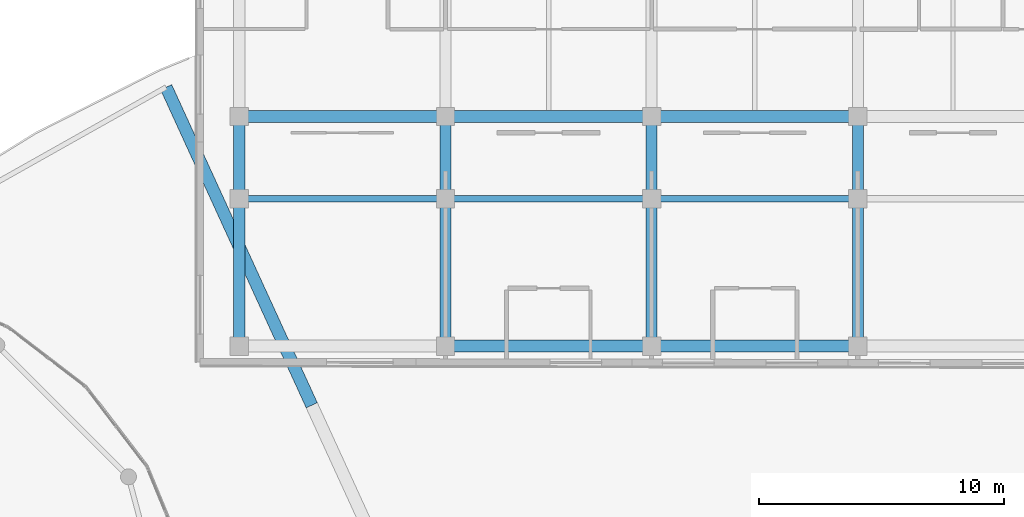
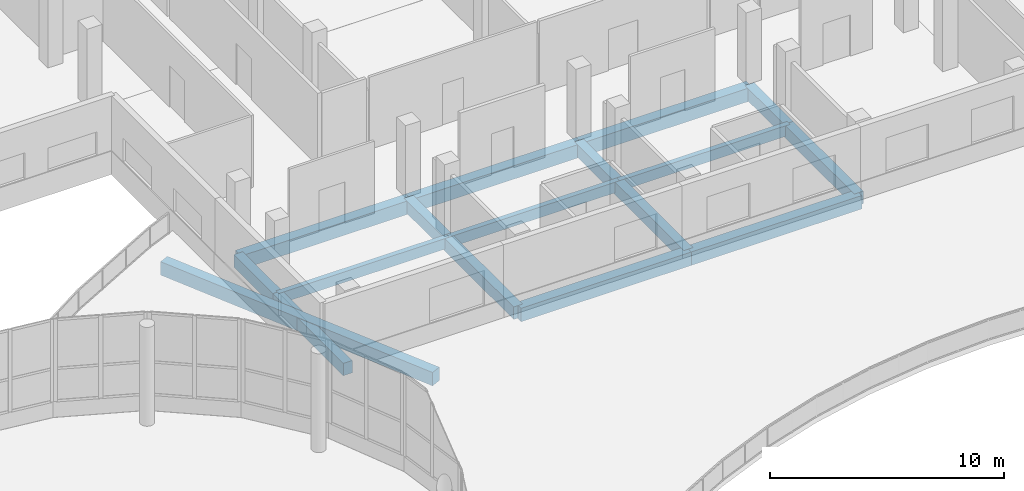
# One storey, part 20 of 101: 17 beams.
"""IFC4 building model written with IfcOpenShell, lengths in metres."""

from ifc_helpers import new_model, si_unit, direction, frame, origin, origin_2d, place, context, subcontext, project, spatial, rectangle, extrude, material, material_profile, profile_set, type_object, element, save


model = new_model("IFC4")

# Units and contexts
model_context = context("Model", 3, precision=1e-05, world=origin(), true_north=direction((0.0, 1.0)))
body_context = subcontext(model_context, "Body", "Model", "MODEL_VIEW")
ifc_project = project(units=[si_unit("LENGTHUNIT", "METRE"), si_unit("AREAUNIT", "SQUARE_METRE"), si_unit("VOLUMEUNIT", "CUBIC_METRE"), si_unit("PLANEANGLEUNIT", "RADIAN"), si_unit("MASSUNIT", "GRAM", prefix="KILO")], contexts=[model_context])

# Site, building, storey
site_placement = place(None, origin())
site = spatial("IfcSite", under=ifc_project, at=site_placement, CompositionType="ELEMENT")
building_placement = place(site_placement, origin())
building = spatial("IfcBuilding", under=site, at=building_placement, Name="Selatvlak General Hospital", CompositionType="ELEMENT")
storey_placement = place(building_placement, frame((0.0, 0.0, 19.199951171875)))
storey = spatial("IfcBuildingStorey", under=building, at=storey_placement, Name="L04", CompositionType="ELEMENT", Elevation=19.199951171875)

# Beams
ifc_material = material(Name="Concrete C40/50", Category="concrete")
ifc_material_profile_1 = material_profile(ifc_material, rectangle(XDim=0.5, YDim=0.699951171875, at=origin_2d()), Name="RC-BM 500x700")
ifc_profile_set_1 = profile_set([ifc_material_profile_1], Name="Concrete C40/50")
beam_type_1 = type_object("IfcBeamType", Name="BM-G03", PredefinedType="BEAM", material=ifc_profile_set_1)
for number, where, z_axis, x_axis, name in (
    (1, (123.60009765625, 66.64990234375, -0.655029296875), (1.0, 0.0, 0.0), (0.0, 1.0, 0.0), "Beam BMR-L04-1510"),
    (2, (132.0, 66.64990234375, -0.655029296875), (1.0, 0.0, 0.0), (0.0, 1.0, 0.0), "Beam BMR-L04-1511"),
):
    element("IfcBeam", number, at=place(storey_placement, frame(where, z_axis=z_axis, x_axis=x_axis)), inside=storey, type_object=beam_type_1, Name=name, PredefinedType="BEAM", context=body_context, shape_type="SweptSolid", body=[
        extrude(rectangle(XDim=0.5, YDim=0.699951171875, at=origin_2d()), origin(), (0.0, 0.0, 1.0), 8.39990234375),
    ])
beam_1_placement = place(storey_placement, frame((115.199951171875, 76.0, -0.655029296875), z_axis=(1.0, 0.0, 0.0), x_axis=(0.0, 1.0, 0.0)))
element("IfcBeam", 3, at=beam_1_placement, inside=storey, type_object=beam_type_1, Name="Beam BMR-L04-1524", PredefinedType="BEAM", context=body_context, shape_type="SweptSolid", body=[
    extrude(rectangle(XDim=0.5, YDim=0.699951171875, at=origin_2d()), origin(), (0.0, 0.0, 1.0), 8.400146484375),
])
for number, where, z_axis, x_axis, name in (
    (4, (123.60009765625, 76.0, -0.655029296875), (1.0, 0.0, 0.0), (0.0, 1.0, 0.0), "Beam BMR-L04-1525"),
    (5, (132.0, 76.0, -0.655029296875), (1.0, 0.0, 0.0), (0.0, 1.0, 0.0), "Beam BMR-L04-1526"),
):
    element("IfcBeam", number, at=place(storey_placement, frame(where, z_axis=z_axis, x_axis=x_axis)), inside=storey, type_object=beam_type_1, Name=name, PredefinedType="BEAM", context=body_context, shape_type="SweptSolid", body=[
        extrude(rectangle(XDim=0.5, YDim=0.699951171875, at=origin_2d()), origin(), (0.0, 0.0, 1.0), 8.39990234375),
    ])
beam_2_placement = place(storey_placement, frame((112.221923828125, 77.195068359375, -0.639892578125), z_axis=(0.416220472097, -0.909263723354, 0.0), x_axis=(0.909263723354, 0.416220472097, 0.0)))
element("IfcBeam", 6, at=beam_2_placement, inside=storey, type_object=beam_type_1, Name="Beam BMR-L04-1820", PredefinedType="BEAM", context=body_context, shape_type="SweptSolid", body=[
    extrude(rectangle(XDim=0.5, YDim=0.699951171875, at=origin_2d()), origin(), (0.0, 0.0, 1.0), 14.25),
])
ifc_material_profile_2 = material_profile(ifc_material, rectangle(XDim=0.449951171875, YDim=0.64990234375, at=origin_2d()), Name="RC-BM 450x650")
ifc_profile_set_2 = profile_set([ifc_material_profile_2], Name="Concrete C40/50")
beam_type_2 = type_object("IfcBeamType", Name="BM-G04", PredefinedType="BEAM", material=ifc_profile_set_2)
beam_3_placement = place(storey_placement, frame((115.199951171875, 66.64990234375, -0.6298828125), z_axis=(0.0, 1.0, 0.0), x_axis=(-1.0, 0.0, 0.0)))
element("IfcBeam", 7, at=beam_3_placement, inside=storey, type_object=beam_type_2, Name="Beam BMR-L04-1699", PredefinedType="BEAM", context=body_context, shape_type="SweptSolid", body=[
    extrude(rectangle(XDim=0.449951171875, YDim=0.64990234375, at=origin_2d()), origin(), (0.0, 0.0, 1.0), 6.0),
])
beam_4_placement = place(storey_placement, frame((115.199951171875, 72.64990234375, -0.6298828125), z_axis=(0.0, 1.0, 0.0), x_axis=(-1.0, 0.0, 0.0)))
element("IfcBeam", 8, at=beam_4_placement, inside=storey, type_object=beam_type_2, Name="Beam BMR-L04-1700", PredefinedType="BEAM", context=body_context, shape_type="SweptSolid", body=[
    extrude(rectangle(XDim=0.449951171875, YDim=0.64990234375, at=origin_2d()), origin(), (0.0, 0.0, 1.0), 3.35009765625),
])
beam_5_placement = place(storey_placement, frame((123.60009765625, 66.64990234375, -0.6298828125), z_axis=(0.0, 1.0, 0.0), x_axis=(-1.0, 0.0, 0.0)))
element("IfcBeam", 9, at=beam_5_placement, inside=storey, type_object=beam_type_2, Name="Beam BMR-L04-1706", PredefinedType="BEAM", context=body_context, shape_type="SweptSolid", body=[
    extrude(rectangle(XDim=0.449951171875, YDim=0.64990234375, at=origin_2d()), origin(), (0.0, 0.0, 1.0), 6.0),
])
beam_6_placement = place(storey_placement, frame((123.60009765625, 72.64990234375, -0.6298828125), z_axis=(0.0, 1.0, 0.0), x_axis=(-1.0, 0.0, 0.0)))
element("IfcBeam", 10, at=beam_6_placement, inside=storey, type_object=beam_type_2, Name="Beam BMR-L04-1707", PredefinedType="BEAM", context=body_context, shape_type="SweptSolid", body=[
    extrude(rectangle(XDim=0.449951171875, YDim=0.64990234375, at=origin_2d()), origin(), (0.0, 0.0, 1.0), 3.35009765625),
])
beam_7_placement = place(storey_placement, frame((132.0, 66.64990234375, -0.6298828125), z_axis=(0.0, 1.0, 0.0), x_axis=(-1.0, 0.0, 0.0)))
element("IfcBeam", 11, at=beam_7_placement, inside=storey, type_object=beam_type_2, Name="Beam BMR-L04-1715", PredefinedType="BEAM", context=body_context, shape_type="SweptSolid", body=[
    extrude(rectangle(XDim=0.449951171875, YDim=0.64990234375, at=origin_2d()), origin(), (0.0, 0.0, 1.0), 6.0),
])
beam_8_placement = place(storey_placement, frame((132.0, 72.64990234375, -0.6298828125), z_axis=(0.0, 1.0, 0.0), x_axis=(-1.0, 0.0, 0.0)))
element("IfcBeam", 12, at=beam_8_placement, inside=storey, type_object=beam_type_2, Name="Beam BMR-L04-1716", PredefinedType="BEAM", context=body_context, shape_type="SweptSolid", body=[
    extrude(rectangle(XDim=0.449951171875, YDim=0.64990234375, at=origin_2d()), origin(), (0.0, 0.0, 1.0), 3.35009765625),
])
beam_9_placement = place(storey_placement, frame((140.39990234375, 66.64990234375, -0.6298828125), z_axis=(0.0, 1.0, 0.0), x_axis=(-1.0, 0.0, 0.0)))
element("IfcBeam", 13, at=beam_9_placement, inside=storey, type_object=beam_type_2, Name="Beam BMR-L04-1723", PredefinedType="BEAM", context=body_context, shape_type="SweptSolid", body=[
    extrude(rectangle(XDim=0.449951171875, YDim=0.64990234375, at=origin_2d()), origin(), (0.0, 0.0, 1.0), 6.0),
])
beam_10_placement = place(storey_placement, frame((140.39990234375, 72.64990234375, -0.6298828125), z_axis=(0.0, 1.0, 0.0), x_axis=(-1.0, 0.0, 0.0)))
element("IfcBeam", 14, at=beam_10_placement, inside=storey, type_object=beam_type_2, Name="Beam BMR-L04-1724", PredefinedType="BEAM", context=body_context, shape_type="SweptSolid", body=[
    extrude(rectangle(XDim=0.449951171875, YDim=0.64990234375, at=origin_2d()), origin(), (0.0, 0.0, 1.0), 3.35009765625),
])
ifc_material_profile_3 = material_profile(ifc_material, rectangle(XDim=0.25, YDim=0.550048828125, at=origin_2d()), Name="RC-SP 250x550")
ifc_profile_set_3 = profile_set([ifc_material_profile_3], Name="Concrete C40/50")
beam_type_3 = type_object("IfcBeamType", Name="BM-SP2", PredefinedType="SPANDREL", material=ifc_profile_set_3)
beam_11_placement = place(storey_placement, frame((115.199951171875, 72.64990234375, -0.579833984375), z_axis=(1.0, 0.0, 0.0), x_axis=(0.0, 1.0, 0.0)))
element("IfcBeam", 15, at=beam_11_placement, inside=storey, type_object=beam_type_3, Name="Beam BMR-L04-1516", PredefinedType="SPANDREL", context=body_context, shape_type="SweptSolid", body=[
    extrude(rectangle(XDim=0.25, YDim=0.550048828125, at=origin_2d()), origin(), (0.0, 0.0, 1.0), 8.400146484375),
])
for number, where, z_axis, x_axis, name in (
    (16, (123.60009765625, 72.64990234375, -0.579833984375), (1.0, 0.0, 0.0), (0.0, 1.0, 0.0), "Beam BMR-L04-1517"),
    (17, (132.0, 72.64990234375, -0.579833984375), (1.0, 0.0, 0.0), (0.0, 1.0, 0.0), "Beam BMR-L04-1518"),
):
    element("IfcBeam", number, at=place(storey_placement, frame(where, z_axis=z_axis, x_axis=x_axis)), inside=storey, type_object=beam_type_3, Name=name, PredefinedType="SPANDREL", context=body_context, shape_type="SweptSolid", body=[
        extrude(rectangle(XDim=0.25, YDim=0.550048828125, at=origin_2d()), origin(), (0.0, 0.0, 1.0), 8.39990234375),
    ])

save(model, "model.ifc")
